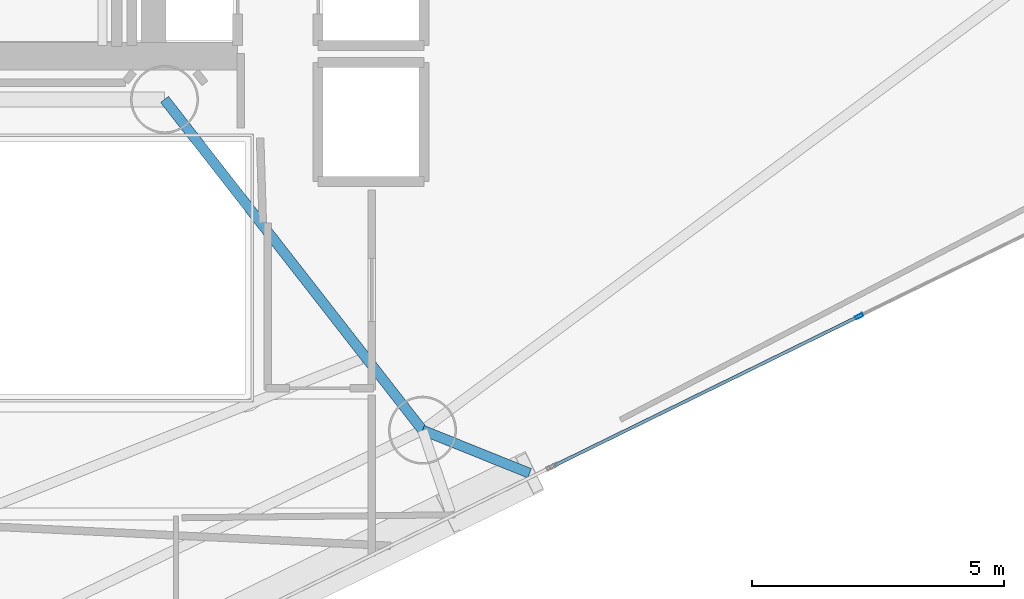
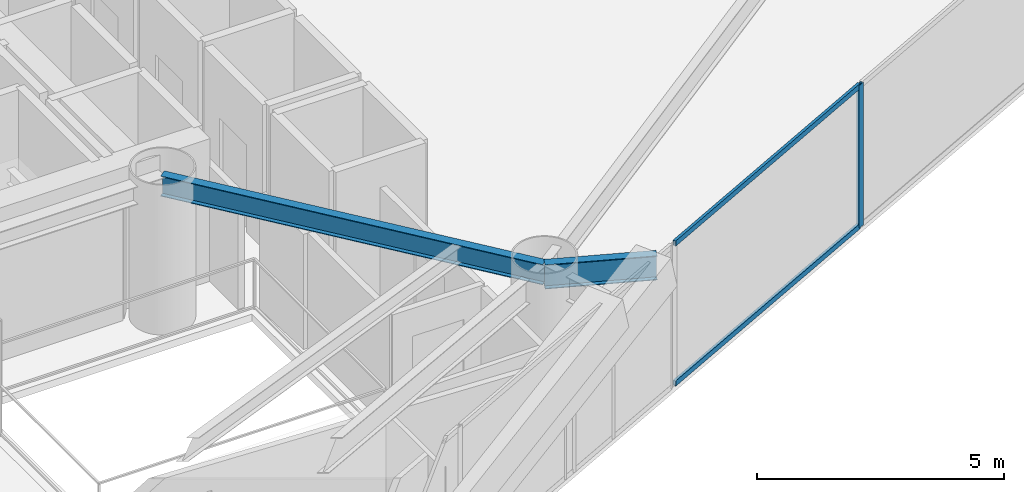
# One storey, part 7 of 22: 3 members, 2 beams, 1 element without a shape of its own.
"""IFC4 building model written with IfcOpenShell, lengths in metres."""

from ifc_helpers import new_model, si_unit, direction, frame, origin, origin_2d, place, context, subcontext, project, spatial, hollow_rectangle, i_section, extrude, material, layer, layer_set, material_profile, profile_set, type_object, element, aggregate, save


model = new_model("IFC4")

# Units and contexts
model_context = context("Model", 3, precision=1e-05, world=origin(), true_north=direction((0.0, 1.0)))
body_context = subcontext(model_context, "Body", "Model", "MODEL_VIEW")
ifc_project = project(units=[si_unit("LENGTHUNIT", "METRE"), si_unit("AREAUNIT", "SQUARE_METRE"), si_unit("VOLUMEUNIT", "CUBIC_METRE"), si_unit("PLANEANGLEUNIT", "RADIAN"), si_unit("MASSUNIT", "GRAM", prefix="KILO")], contexts=[model_context])

# Site, building, storey
site_placement = place(None, origin())
site = spatial("IfcSite", under=ifc_project, at=site_placement, CompositionType="ELEMENT")
building_placement = place(site_placement, origin())
building = spatial("IfcBuilding", under=site, at=building_placement, Name="Qianvela Tower", CompositionType="ELEMENT")
storey_placement = place(building_placement, frame((0.0, 0.0, 155.0)))
storey = spatial("IfcBuildingStorey", under=building, at=storey_placement, Name="L39", CompositionType="ELEMENT", Elevation=155.0)

# Beams
ifc_material_1 = material(Name="Steel Q355B", Category="steel")
ifc_material_profile_1 = material_profile(ifc_material_1, i_section(OverallWidth=0.199951171875, OverallDepth=0.5, WebThickness=0.010009765625, FlangeThickness=0.01611328125, at=origin_2d()), Name="HN500x200x10x16")
ifc_profile_set_1 = profile_set([ifc_material_profile_1], Name="Steel Q355B")
beam_type_1 = type_object("IfcBeamType", Name="BM-HN500-GIRD", PredefinedType="BEAM", material=ifc_profile_set_1)
beam_1_placement = place(storey_placement, frame((38.39990234375, 23.85009765625, 3.26806640625), z_axis=(0.615000832816, -0.788526458424, 0.0), x_axis=(0.788526458424, 0.615000832816, 0.0)))
element("IfcBeam", 1, at=beam_1_placement, inside=storey, type_object=beam_type_1, Name="L39 Radial Primary Floor Girder 6", PredefinedType="BEAM", context=body_context, shape_type="SweptSolid", body=[
    extrude(i_section(OverallWidth=0.199951171875, OverallDepth=0.5, WebThickness=0.010009765625, FlangeThickness=0.01611328125, at=origin_2d()), origin(), (0.0, 0.0, 1.0), 8.333251953125),
])
ifc_material_2 = material(Name="Steel Q355B", Category="steel")
ifc_material_profile_2 = material_profile(ifc_material_2, i_section(OverallWidth=0.199951171875, OverallDepth=0.60009765625, WebThickness=0.010986328125, FlangeThickness=0.01708984375, at=origin_2d()), Name="HN600x200x11x17")
ifc_profile_set_2 = profile_set([ifc_material_profile_2], Name="Steel Q355B")
beam_type_2 = type_object("IfcBeamType", Name="BM-HN600-GIRD", PredefinedType="BEAM", material=ifc_profile_set_2)
beam_2_placement = place(storey_placement, frame((43.52490234375, 17.279052734375, 3.218017578125), z_axis=(0.927703408303, -0.373318076475, 0.0), x_axis=(0.373318076475, 0.927703408303, 0.0)))
element("IfcBeam", 2, at=beam_2_placement, inside=storey, type_object=beam_type_2, Name="L39 Mega-Brace Column Tie Bracket F3-2", PredefinedType="BEAM", context=body_context, shape_type="SweptSolid", body=[
    extrude(i_section(OverallWidth=0.199951171875, OverallDepth=0.60009765625, WebThickness=0.010986328125, FlangeThickness=0.01708984375, at=origin_2d()), origin(), (0.0, 0.0, 1.0), 2.292236328125),
])

# Curtain wall, members
ifc_material_3 = material(Name="Anodised Architectural Aluminium and Low-E Glass", Category="aluminium")
ifc_layer = layer(ifc_material_3, 0.169921875)
ifc_layer_set = layer_set([ifc_layer], Name="Anodised Architectural Aluminium and Low-E Glass")
curtain_wall_type = type_object("IfcCurtainWallType", Name="CW-COLIV-Z34", PredefinedType="USERDEFINED", material=ifc_layer_set)
curtain_wall_placement = place(storey_placement, origin())
curtain_wall = element("IfcCurtainWall", 3, at=curtain_wall_placement, inside=storey, type_object=curtain_wall_type, Name="L39 CW-COLIV-Z34 Curtain Wall 06C", ObjectType="CURTAIN_WALL_SYSTEM", PredefinedType="USERDEFINED")
ifc_material_4 = material(Name="Anodised Architectural Aluminium 6063-T6", Category="aluminium")
ifc_material_profile_3 = material_profile(ifc_material_4, hollow_rectangle(XDim=0.06494140625, YDim=0.159912109375, WallThickness=0.0048828125, at=origin_2d()), Name="ALU-MULL-65x160")
ifc_profile_set_3 = profile_set([ifc_material_profile_3], Name="Anodised Architectural Aluminium 6063-T6")
member_type_1 = type_object("IfcMemberType", Name="CW-COLIV-Z34-MULL", PredefinedType="MULLION", material=ifc_profile_set_3)
member_1_placement = place(storey_placement, frame((52.19775390625, 19.543212890625, 0.0), z_axis=(0.0, 0.0, 1.0), x_axis=(-0.440146392296, 0.897926028885, 0.0)))
member_1 = element("IfcMember", 4, at=member_1_placement, type_object=member_type_1, Name="CW-4 mullion 2", PredefinedType="MULLION", context=body_context, shape_type="SweptSolid", body=[
    extrude(hollow_rectangle(XDim=0.06494140625, YDim=0.159912109375, WallThickness=0.0048828125, at=origin_2d()), origin(), (0.0, 0.0, 1.0), 3.52001953125),
])
ifc_material_5 = material(Name="Anodised Architectural Aluminium 6063-T6", Category="aluminium")
ifc_material_profile_4 = material_profile(ifc_material_5, hollow_rectangle(XDim=0.06494140625, YDim=0.1298828125, WallThickness=0.00439453125, at=origin_2d()), Name="ALU-TRAN-65x130")
ifc_profile_set_4 = profile_set([ifc_material_profile_4], Name="Anodised Architectural Aluminium 6063-T6")
member_type_2 = type_object("IfcMemberType", Name="CW-COLIV-Z34-TRAN", PredefinedType="USERDEFINED", material=ifc_profile_set_4)
member_2_placement = place(storey_placement, frame((46.158203125, 16.582763671875, 0.032470703125), z_axis=(0.897937115886, 0.440123773403, 0.0), x_axis=(-0.440123773403, 0.897937115886, 0.0)))
member_2 = element("IfcMember", 5, at=member_2_placement, type_object=member_type_2, Name="CW-4 transom 1.1", ObjectType="TRANSOM", PredefinedType="USERDEFINED", context=body_context, shape_type="SweptSolid", body=[
    extrude(hollow_rectangle(XDim=0.06494140625, YDim=0.1298828125, WallThickness=0.00439453125, at=origin_2d()), origin(), (0.0, 0.0, 1.0), 6.693603515625),
])
member_3_placement = place(storey_placement, frame((46.158203125, 16.582763671875, 3.487548828125), z_axis=(0.897937115886, 0.440123773403, 0.0), x_axis=(-0.440123773403, 0.897937115886, 0.0)))
member_3 = element("IfcMember", 6, at=member_3_placement, type_object=member_type_2, Name="CW-4 transom 1.2", ObjectType="TRANSOM", PredefinedType="USERDEFINED", context=body_context, shape_type="SweptSolid", body=[
    extrude(hollow_rectangle(XDim=0.06494140625, YDim=0.1298828125, WallThickness=0.00439453125, at=origin_2d()), origin(), (0.0, 0.0, 1.0), 6.693603515625),
])
aggregate(curtain_wall, [member_1, member_2, member_3])

save(model, "model.ifc")
